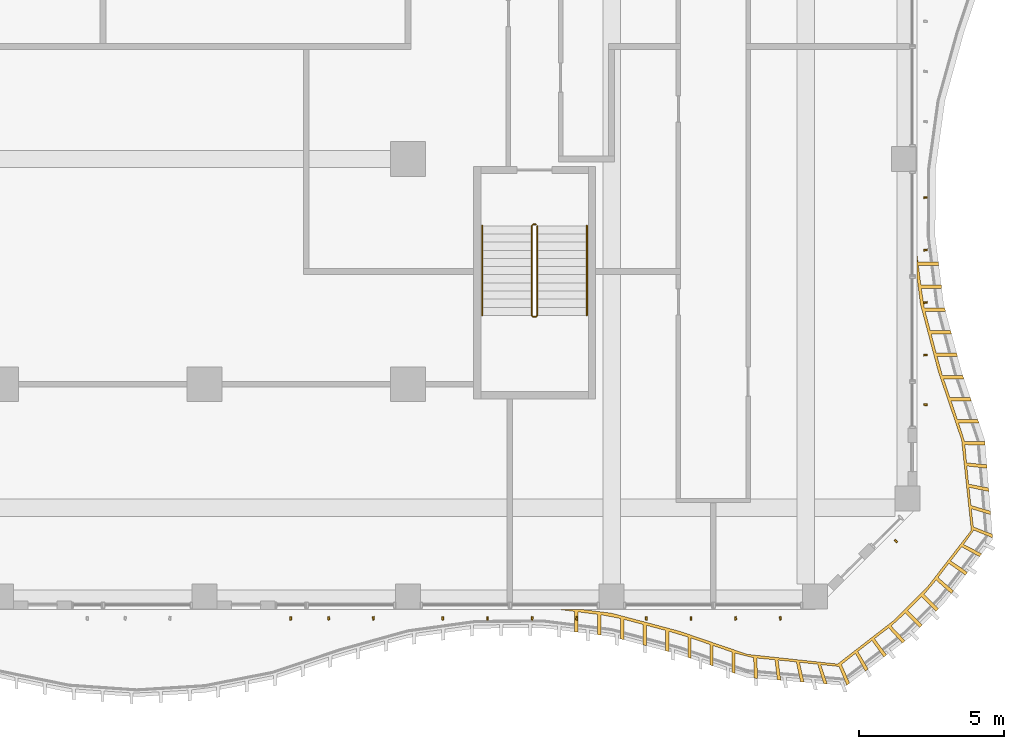
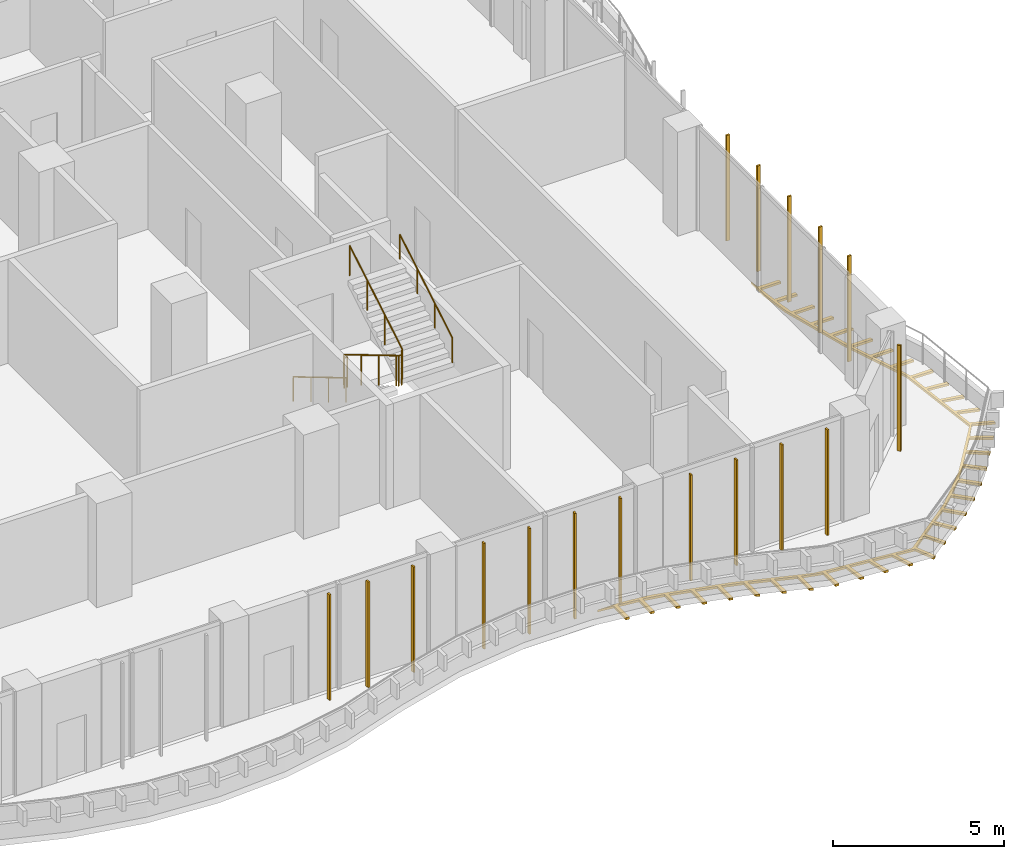
# One storey, part 24 of 27: 18 shading devices, 3 railings.
"""IFC4 building model written with IfcOpenShell, lengths in metres."""

from ifc_helpers import new_model, si_unit, direction, frame, origin, origin_2d, place, context, subcontext, project, spatial, polyline, rectangle, circle, outline, extrude, source, transform, mapped, material, layer, layer_set, material_profile, profile_set, type_object, element, save


model = new_model("IFC4")

# Units and contexts
model_context = context("Model", 3, precision=1e-05, world=origin(), true_north=direction((0.0, 1.0)))
body_context = subcontext(model_context, "Body", "Model", "MODEL_VIEW")
ifc_project = project(units=[si_unit("LENGTHUNIT", "METRE"), si_unit("AREAUNIT", "SQUARE_METRE"), si_unit("VOLUMEUNIT", "CUBIC_METRE"), si_unit("PLANEANGLEUNIT", "RADIAN"), si_unit("MASSUNIT", "GRAM", prefix="KILO")], contexts=[model_context])

# Site, building, storey
site_placement = place(None, origin())
site = spatial("IfcSite", under=ifc_project, at=site_placement, CompositionType="ELEMENT")
building_placement = place(site_placement, origin())
building = spatial("IfcBuilding", under=site, at=building_placement, Name="Kilnfold Tower and Market Hall", CompositionType="ELEMENT")
storey_placement = place(building_placement, frame((0.0, 0.0, 112.60009765625)))
storey = spatial("IfcBuildingStorey", under=building, at=storey_placement, Name="L26", CompositionType="ELEMENT", Elevation=112.60009765625)

# Railings
ifc_material_1 = material(Name="Stainless steel 316", Category="steel")
railing_type_1 = type_object("IfcRailingType", Name="CORE STAIR GUARD 1100", PredefinedType="GUARDRAIL", material=ifc_material_1)
railing_1_placement = place(storey_placement, frame((19.89990234375, -9.75, 0.0)))
element("IfcRailing", 1, at=railing_1_placement, inside=storey, type_object=railing_type_1, Name="L26 ST4 stair guard 1", PredefinedType="GUARDRAIL", context=body_context, shape_type="SweptSolid", body=[
    extrude(circle(Radius=0.02392578125, at=origin_2d()), frame((0.0, 0.0, 1.076171875), z_axis=(-1.0, 0.0, 0.0), x_axis=(0.0, -1.0, 0.0)), (0.0, 0.0, 1.0), 0.099853515625),
    extrude(circle(Radius=0.02392578125, at=origin_2d()), frame((-0.099853515625, 0.0, 1.076171875), z_axis=(-0.27662974545, -0.27662974545, 0.920299933644), x_axis=(0.707106781187, -0.707106781187, 0.0)), (0.0, 0.0, 1.0), 0.180908203125),
    extrude(circle(Radius=0.02392578125, at=origin_2d()), frame((-0.14990234375, -0.050048828125, 1.24267578125), z_axis=(0.0, -0.859260807169, 0.511537745687), x_axis=(1.0, 0.0, 0.0)), (0.0, 0.0, 1.0), 3.584228515625),
    extrude(circle(Radius=0.02392578125, at=origin_2d()), frame((-0.14990234375, -3.1298828125, 3.076171875), z_axis=(0.707106781187, -0.707106781187, 0.0), x_axis=(0.707106781187, 0.707106781187, 0.0)), (0.0, 0.0, 1.0), 0.07080078125),
    extrude(circle(Radius=0.02392578125, at=origin_2d()), frame((-0.099853515625, -3.179931640625, 3.076171875), z_axis=(1.0, 0.0, 0.0), x_axis=(0.0, 1.0, 0.0)), (0.0, 0.0, 1.0), 0.099853515625),
    extrude(circle(Radius=0.02392578125, at=origin_2d()), frame((0.0, -3.179931640625, 3.076171875), z_axis=(0.27662974545, 0.27662974545, 0.920299933644), x_axis=(-0.707106781187, 0.707106781187, 0.0)), (0.0, 0.0, 1.0), 0.180908203125),
    extrude(circle(Radius=0.02392578125, at=origin_2d()), frame((0.050048828125, -3.1298828125, 3.24267578125), z_axis=(0.0, 0.859260807169, 0.511537745687), x_axis=(-1.0, 0.0, 0.0)), (0.0, 0.0, 1.0), 3.584228515625),
    extrude(circle(Radius=0.02099609375, at=origin_2d()), origin(), (0.0, 0.0, 1.0), 1.052001953125),
    extrude(circle(Radius=0.02099609375, at=origin_2d()), frame((-0.099853515625, 0.0, 0.0)), (0.0, 0.0, 1.0), 1.052001953125),
    extrude(circle(Radius=0.02099609375, at=origin_2d()), frame((-0.14990234375, -0.050048828125, 0.16650390625)), (0.0, 0.0, 1.0), 1.052001953125),
    extrude(circle(Radius=0.02099609375, at=origin_2d()), frame((-0.14990234375, -1.07666015625, 0.777587890625)), (0.0, 0.0, 1.0), 1.052001953125),
    extrude(circle(Radius=0.02099609375, at=origin_2d()), frame((-0.14990234375, -2.103271484375, 1.388916015625)), (0.0, 0.0, 1.0), 1.052001953125),
    extrude(circle(Radius=0.02099609375, at=origin_2d()), frame((-0.14990234375, -3.1298828125, 2.0)), (0.0, 0.0, 1.0), 1.052001953125),
    extrude(circle(Radius=0.02099609375, at=origin_2d()), frame((-0.099853515625, -3.179931640625, 2.0)), (0.0, 0.0, 1.0), 1.052001953125),
    extrude(circle(Radius=0.02099609375, at=origin_2d()), frame((0.0, -3.179931640625, 2.0)), (0.0, 0.0, 1.0), 1.052001953125),
    extrude(circle(Radius=0.02099609375, at=origin_2d()), frame((0.050048828125, -3.1298828125, 2.16650390625)), (0.0, 0.0, 1.0), 1.052001953125),
    extrude(circle(Radius=0.02099609375, at=origin_2d()), frame((0.050048828125, -2.103271484375, 2.777587890625)), (0.0, 0.0, 1.0), 1.052001953125),
    extrude(circle(Radius=0.02099609375, at=origin_2d()), frame((0.050048828125, -1.07666015625, 3.388916015625)), (0.0, 0.0, 1.0), 1.052001953125),
    extrude(circle(Radius=0.02099609375, at=origin_2d()), frame((0.050048828125, -0.050048828125, 4.0)), (0.0, 0.0, 1.0), 1.052001953125),
])
ifc_material_2 = material(Name="Stainless steel 316", Category="steel")
railing_type_2 = type_object("IfcRailingType", Name="CORE STAIR HANDRAIL 900", PredefinedType="HANDRAIL", material=ifc_material_2)
railing_2_placement = place(storey_placement, frame((18.050048828125, -9.800048828125, 0.16650390625)))
element("IfcRailing", 2, at=railing_2_placement, inside=storey, type_object=railing_type_2, Name="L26 ST4 stair handrail 1", PredefinedType="HANDRAIL", context=body_context, shape_type="SweptSolid", body=[
    extrude(circle(Radius=0.02392578125, at=origin_2d()), frame((0.0, 0.0, 0.8759765625), z_axis=(0.0, -0.859260807169, 0.511537745687), x_axis=(1.0, 0.0, 0.0)), (0.0, 0.0, 1.0), 3.584228515625),
    extrude(circle(Radius=0.02099609375, at=origin_2d()), origin(), (0.0, 0.0, 1.0), 0.851806640625),
    extrude(circle(Radius=0.02099609375, at=origin_2d()), frame((0.0, -1.026611328125, 0.611083984375)), (0.0, 0.0, 1.0), 0.851806640625),
    extrude(circle(Radius=0.02099609375, at=origin_2d()), frame((0.0, -2.05322265625, 1.222412109375)), (0.0, 0.0, 1.0), 0.851806640625),
    extrude(circle(Radius=0.02099609375, at=origin_2d()), frame((0.0, -3.079833984375, 1.83349609375)), (0.0, 0.0, 1.0), 0.851806640625),
])
railing_3_placement = place(storey_placement, frame((21.64990234375, -12.8798828125, 2.16650390625)))
element("IfcRailing", 3, at=railing_3_placement, inside=storey, type_object=railing_type_2, Name="L26 ST4 stair handrail 2", PredefinedType="HANDRAIL", context=body_context, shape_type="SweptSolid", body=[
    extrude(circle(Radius=0.02392578125, at=origin_2d()), frame((0.0, 0.0, 0.8759765625), z_axis=(0.0, 0.859260807169, 0.511537745687), x_axis=(-1.0, 0.0, 0.0)), (0.0, 0.0, 1.0), 3.584228515625),
    extrude(circle(Radius=0.02099609375, at=origin_2d()), origin(), (0.0, 0.0, 1.0), 0.851806640625),
    extrude(circle(Radius=0.02099609375, at=origin_2d()), frame((0.0, 1.026611328125, 0.611083984375)), (0.0, 0.0, 1.0), 0.851806640625),
    extrude(circle(Radius=0.02099609375, at=origin_2d()), frame((0.0, 2.05322265625, 1.222412109375)), (0.0, 0.0, 1.0), 0.851806640625),
    extrude(circle(Radius=0.02099609375, at=origin_2d()), frame((0.0, 3.079833984375, 1.83349609375)), (0.0, 0.0, 1.0), 0.851806640625),
])

# Shading devices
ifc_material_3 = material(Name="Terracotta", Category="masonry")
ifc_material_profile = material_profile(ifc_material_3, rectangle(XDim=0.06005859375, YDim=0.1201171875, at=origin_2d()), Name="BAG 60x120")
ifc_profile_set = profile_set([ifc_material_profile], Name="Terracotta")
shading_device_type_1 = type_object("IfcShadingDeviceType", Name="BAGUETTE", PredefinedType="USERDEFINED", material=ifc_profile_set)
shared_shape_1 = source(origin(), body_context, "Body", "SweptSolid", [
    extrude(rectangle(XDim=0.06005859375, YDim=0.1201171875, at=origin_2d()), origin(), (0.0, 0.0, 1.0), 3.77978515625),
])
for number, where, z_axis, x_axis, name in (
    (4, (11.46240234375, -23.300048828125, 0.0), (0.0, 0.0, 1.0), (0.998857912804, 0.047779389172, 0.0), "Terracotta baguette L26 S"),
    (5, (12.768798828125, -23.300048828125, 0.0), (0.0, 0.0, 1.0), (0.993690248512, 0.112159217241, 0.0), "Terracotta baguette L26 S"),
    (6, (14.306396484375, -23.300048828125, 0.0), (0.0, 0.0, 1.0), (0.990297195368, 0.13896569665, 0.0), "Terracotta baguette L26 S"),
    (7, (16.693603515625, -23.300048828125, 0.0), (0.0, 0.0, 1.0), (0.998198704592, 0.059994551011, 0.0), "Terracotta baguette L26 S"),
    (8, (18.231201171875, -23.300048828125, 0.0), (0.0, 0.0, 1.0), (0.999423808434, -0.03394187877, 0.0), "Terracotta baguette L26 S"),
    (9, (19.768798828125, -23.300048828125, 0.0), (0.0, 0.0, 1.0), (0.993690248512, -0.112159217241, 0.0), "Terracotta baguette L26 S"),
    (10, (21.306396484375, -23.300048828125, 0.0), (0.0, 0.0, 1.0), (0.990297195368, -0.13896569665, 0.0), "Terracotta baguette L26 S"),
    (11, (23.693603515625, -23.300048828125, 0.0), (0.0, 0.0, 1.0), (0.998198704592, -0.059994551011, 0.0), "Terracotta baguette L26 S"),
    (12, (25.231201171875, -23.300048828125, 0.0), (0.0, 0.0, 1.0), (0.999423808434, 0.03394187877, 0.0), "Terracotta baguette L26 S"),
    (13, (26.768798828125, -23.300048828125, 0.0), (0.0, 0.0, 1.0), (0.993690248512, 0.112159217241, 0.0), "Terracotta baguette L26 S"),
    (14, (28.306396484375, -23.300048828125, 0.0), (0.0, 0.0, 1.0), (0.990297195368, 0.13896569665, 0.0), "Terracotta baguette L26 S"),
    (15, (32.28173828125, -20.642578125, 0.0), (0.0, 0.0, 1.0), (0.76431623999, 0.644841597052, 0.0), "Terracotta baguette L26 SE"),
    (16, (33.300048828125, -15.951416015625, 0.0), (0.0, 0.0, 1.0), (0.042283699028, 0.999105644462, 0.0), "Terracotta baguette L26 E"),
    (17, (33.300048828125, -14.243408203125, 0.0), (0.0, 0.0, 1.0), (-0.061792388051, 0.998089024476, 0.0), "Terracotta baguette L26 E"),
    (18, (33.300048828125, -12.438232421875, 0.0), (0.0, 0.0, 1.0), (-0.132920679535, 0.991126678559, 0.0), "Terracotta baguette L26 E"),
    (19, (33.300048828125, -10.6328125, 0.0), (0.0, 0.0, 1.0), (-0.121664927082, 0.992571229443, 0.0), "Terracotta baguette L26 E"),
    (20, (33.300048828125, -8.82763671875, 0.0), (0.0, 0.0, 1.0), (-0.034831470246, 0.999393200237, 0.0), "Terracotta baguette L26 E"),
):
    element("IfcShadingDevice", number, at=place(storey_placement, frame(where, z_axis=z_axis, x_axis=x_axis)), inside=storey, type_object=shading_device_type_1, Name=name, ObjectType="BAGUETTE", PredefinedType="USERDEFINED", context=body_context, shape_type="MappedRepresentation", body=[
        mapped(shared_shape_1, transform((0.0, 0.0, 0.0))),
    ])
ifc_material_4 = material(Name="Bronze anodised aluminium", Category="aluminium")
ifc_layer = layer(ifc_material_4, 0.080078125)
ifc_layer_set = layer_set([ifc_layer], Name="Bronze anodised aluminium")
shading_device_type_2 = type_object("IfcShadingDeviceType", Name="BRONZE SLAT SOFFIT 80", PredefinedType="USERDEFINED", material=ifc_layer_set)
shared_shape_2 = source(origin(), body_context, "Body", "SweptSolid", [
    extrude(outline(polyline([(22.5, -23.12548828125), (24.833251953125, -23.74365234375), (27.166748046875, -24.540283203125), (30.27587890625, -24.873291015625), (32.208740234375, -23.37548828125), (33.37548828125, -22.208740234375), (34.873291015625, -20.27587890625), (34.540283203125, -17.166748046875), (33.74365234375, -14.833251953125), (33.12548828125, -12.5), (33.0, -11.50341796875), (33.0, -10.710205078125), (33.04248046875, -11.04638671875), (33.742431640625, -11.04638671875), (33.75732421875, -11.16552734375), (33.057373046875, -11.16552734375), (33.142333984375, -11.840087890625), (33.84228515625, -11.840087890625), (33.857421875, -11.959228515625), (33.157470703125, -11.959228515625), (33.26025390625, -12.63037109375), (33.960205078125, -12.63037109375), (33.990966796875, -12.746337890625), (33.291015625, -12.746337890625), (33.465087890625, -13.40380859375), (34.1650390625, -13.40380859375), (34.19580078125, -13.519775390625), (33.49560546875, -13.519775390625), (33.669921875, -14.177001953125), (34.369873046875, -14.177001953125), (34.400634765625, -14.293212890625), (33.70068359375, -14.293212890625), (33.8828125, -14.947998046875), (34.582763671875, -14.947998046875), (34.62158203125, -15.0615234375), (33.921630859375, -15.0615234375), (34.141357421875, -15.705078125), (34.84130859375, -15.705078125), (34.8798828125, -15.818603515625), (34.179931640625, -15.818603515625), (34.399658203125, -16.462158203125), (35.099609375, -16.462158203125), (35.138427734375, -16.57568359375), (34.4384765625, -16.57568359375), (34.64453125, -17.2177734375), (35.344482421875, -17.22216796875), (35.35400390625, -17.341796875), (34.654296875, -17.327880859375), (34.71142578125, -17.95166015625), (35.408203125, -18.01953125), (35.417724609375, -18.13916015625), (34.721923828125, -18.061767578125), (34.7841796875, -18.68505859375), (35.4716796875, -18.81689453125), (35.481201171875, -18.9365234375), (34.795654296875, -18.795166015625), (34.863037109375, -19.41943359375), (35.535400390625, -19.614501953125), (35.544921875, -19.734130859375), (34.875244140625, -19.52978515625), (34.947021484375, -20.156494140625), (35.598876953125, -20.412109375), (35.6083984375, -20.531494140625), (34.960205078125, -20.267333984375), (34.6103515625, -20.758544921875), (35.23095703125, -21.08251953125), (35.158203125, -21.177978515625), (34.543212890625, -20.84326171875), (34.166748046875, -21.32568359375), (34.745849609375, -21.71875), (34.673095703125, -21.814208984375), (34.100830078125, -21.4111328125), (33.730712890625, -21.898193359375), (34.260986328125, -22.35498046875), (34.18798828125, -22.450439453125), (33.665771484375, -21.984619140625), (33.25341796875, -22.47216796875), (33.748291015625, -22.96728515625), (33.66357421875, -23.052001953125), (33.168701171875, -22.55712890625), (32.687744140625, -23.037841796875), (33.1826171875, -23.532958984375), (33.097900390625, -23.617919921875), (32.602783203125, -23.122802734375), (32.117919921875, -23.56591796875), (32.597412109375, -24.076171875), (32.501953125, -24.14892578125), (32.03125, -23.630615234375), (31.54296875, -23.999755859375), (31.961181640625, -24.56103515625), (31.86572265625, -24.6337890625), (31.457275390625, -24.0654296875), (30.97412109375, -24.4404296875), (31.324951171875, -25.046142578125), (31.2294921875, -25.118896484375), (30.88916015625, -24.507080078125), (30.40869140625, -24.889404296875), (30.688720703125, -25.531005859375), (30.59326171875, -25.60400390625), (30.32421875, -24.957763671875), (29.69970703125, -24.894287109375), (29.918212890625, -25.5595703125), (29.798583984375, -25.550048828125), (29.58935546875, -24.882080078125), (28.964599609375, -24.813720703125), (29.120849609375, -25.495849609375), (29.001220703125, -25.486328125), (28.8544921875, -24.802001953125), (28.23095703125, -24.738525390625), (28.3232421875, -25.432373046875), (28.20361328125, -25.4228515625), (28.12109375, -24.727783203125), (27.49755859375, -24.66943359375), (27.52587890625, -25.368896484375), (27.40625, -25.359375), (27.38720703125, -24.659423828125), (26.75048828125, -24.498291015625), (26.75048828125, -25.1982421875), (26.636962890625, -25.159423828125), (26.636962890625, -24.45947265625), (25.993408203125, -24.23974609375), (25.993408203125, -24.939697265625), (25.8798828125, -24.90087890625), (25.8798828125, -24.200927734375), (25.236328125, -23.981201171875), (25.236328125, -24.681396484375), (25.122802734375, -24.642578125), (25.122802734375, -23.9423828125), (24.4716796875, -23.747802734375), (24.4716796875, -24.447998046875), (24.355712890625, -24.417236328125), (24.355712890625, -23.71728515625), (23.6982421875, -23.54296875), (23.6982421875, -24.242919921875), (23.582275390625, -24.21240234375), (23.582275390625, -23.51220703125), (22.925048828125, -23.338134765625), (22.925048828125, -24.0380859375), (22.80908203125, -24.007568359375), (22.80908203125, -23.3076171875), (22.142578125, -23.180419921875), (22.142578125, -23.880615234375), (22.0234375, -23.865478515625), (22.0234375, -23.16552734375), (21.348876953125, -23.08056640625), (21.348876953125, -23.780517578125), (21.229736328125, -23.765380859375), (21.229736328125, -23.0654296875), (20.710205078125, -23.0), (21.50341796875, -23.0), (22.5, -23.12548828125)])), origin(), (0.0, 0.0, 1.0), 0.079833984375),
])
shading_device_placement = place(storey_placement, frame((0.0, 0.0, -0.300048828125)))
element("IfcShadingDevice", 21, at=shading_device_placement, inside=storey, type_object=shading_device_type_2, Name="Balcony soffit slats L26", ObjectType="SLAT", PredefinedType="USERDEFINED", context=body_context, shape_type="MappedRepresentation", body=[
    mapped(shared_shape_2, transform((0.0, 0.0, 0.0))),
])

save(model, "model.ifc")
